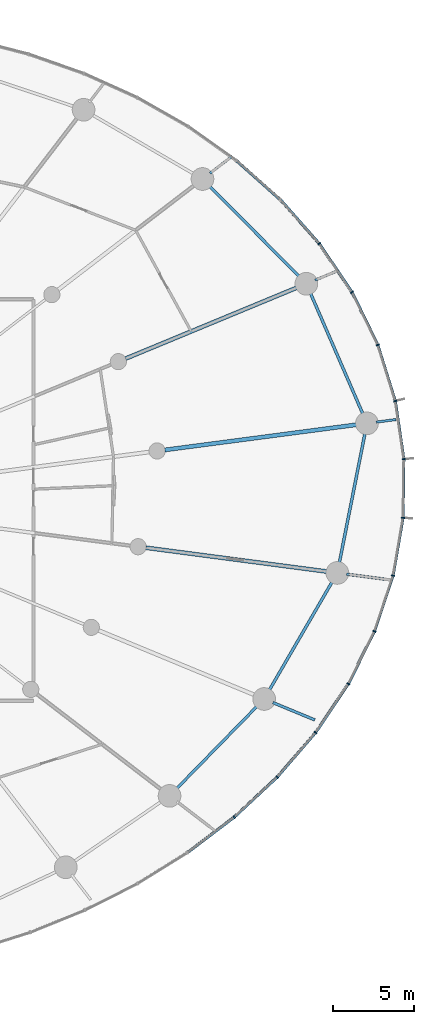
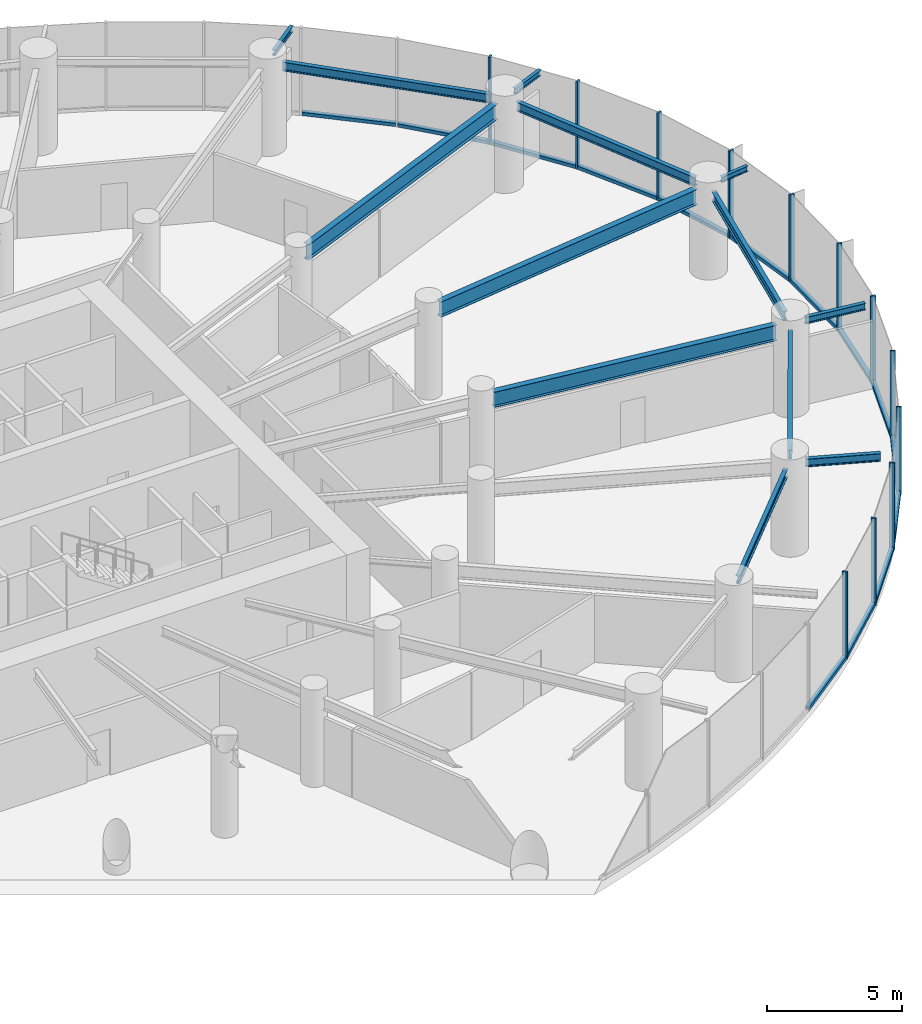
# One storey, part 8 of 19: 26 members, 13 beams, 3 elements without a shape of their own.
"""IFC4 building model written with IfcOpenShell, lengths in metres."""

from ifc_helpers import new_model, si_unit, direction, frame, origin, origin_2d, place, context, subcontext, project, spatial, rectangle, i_section, extrude, source, transform, mapped, material, layer, layer_set, material_profile, profile_set, type_object, element, aggregate, save


model = new_model("IFC4")

# Units and contexts
model_context = context("Model", 3, precision=1e-05, world=origin(), true_north=direction((0.0, 1.0)))
body_context = subcontext(model_context, "Body", "Model", "MODEL_VIEW")
ifc_project = project(units=[si_unit("LENGTHUNIT", "METRE"), si_unit("AREAUNIT", "SQUARE_METRE"), si_unit("VOLUMEUNIT", "CUBIC_METRE"), si_unit("PLANEANGLEUNIT", "RADIAN"), si_unit("MASSUNIT", "GRAM", prefix="KILO")], contexts=[model_context])

# Site, building, storey
site_placement = place(None, origin())
site = spatial("IfcSite", under=ifc_project, at=site_placement, CompositionType="ELEMENT")
building_placement = place(site_placement, origin())
building = spatial("IfcBuilding", under=site, at=building_placement, Name="Spindrift Exchange Tower", CompositionType="ELEMENT")
storey_placement = place(building_placement, frame((0.0, 0.0, 31.39990234375)))
storey = spatial("IfcBuildingStorey", under=building, at=storey_placement, Name="L07", CompositionType="ELEMENT", Elevation=31.39990234375)

# Beams
ifc_material_1 = material(Name="Steel Grade 300", Category="steel")
ifc_material_profile_1 = material_profile(ifc_material_1, i_section(OverallWidth=0.25, OverallDepth=0.699951171875, WebThickness=0.008056640625, FlangeThickness=0.011962890625, at=origin_2d()), Name="700WB115")
ifc_profile_set_1 = profile_set([ifc_material_profile_1], Name="Steel Grade 300")
beam_type_1 = type_object("IfcBeamType", Name="Floor Beam 700WB115 Steel Grade 300", PredefinedType="BEAM", material=ifc_profile_set_1)
shared_shape_1 = source(origin(), body_context, "Body", "SweptSolid", [
    extrude(i_section(OverallWidth=0.25, OverallDepth=0.699951171875, WebThickness=0.008056640625, FlangeThickness=0.011962890625, at=origin_2d()), origin(), (0.0, 0.0, 1.0), 12.00830078125),
])
beam_1_placement = place(storey_placement, frame((75.509765625, 51.09521484375, 3.60009765625), z_axis=(0.991444950947, 0.130525511844, 0.0), x_axis=(-0.130525511844, 0.991444950947, 0.0)))
element("IfcBeam", 1, at=beam_1_placement, inside=storey, type_object=beam_type_1, Name="L07 radial beam R01B", PredefinedType="BEAM", context=body_context, shape_type="MappedRepresentation", body=[
    mapped(shared_shape_1, transform((0.0, 0.0, 0.0), scale=1.0)),
])
shared_shape_2 = source(origin(), body_context, "Body", "SweptSolid", [
    extrude(i_section(OverallWidth=0.25, OverallDepth=0.699951171875, WebThickness=0.008056640625, FlangeThickness=0.011962890625, at=origin_2d()), origin(), (0.0, 0.0, 1.0), 11.505859375),
])
beam_2_placement = place(storey_placement, frame((73.082763671875, 56.73291015625, 3.60009765625), z_axis=(0.923881578419, 0.38267849307, 0.0), x_axis=(-0.38267849307, 0.923881578419, 0.0)))
element("IfcBeam", 2, at=beam_2_placement, inside=storey, type_object=beam_type_1, Name="L07 radial beam R02B", PredefinedType="BEAM", context=body_context, shape_type="MappedRepresentation", body=[
    mapped(shared_shape_2, transform((0.0, 0.0, 0.0), scale=1.0)),
])
shared_shape_3 = source(origin(), body_context, "Body", "SweptSolid", [
    extrude(i_section(OverallWidth=0.25, OverallDepth=0.699951171875, WebThickness=0.008056640625, FlangeThickness=0.011962890625, at=origin_2d()), origin(), (0.0, 0.0, 1.0), 11.34423828125),
])
beam_3_placement = place(storey_placement, frame((74.339111328125, 45.05908203125, 3.60009765625), z_axis=(0.991444770187, -0.130526884848, 0.0), x_axis=(0.130526884848, 0.991444770187, 0.0)))
element("IfcBeam", 3, at=beam_3_placement, inside=storey, type_object=beam_type_1, Name="L07 radial beam R24B", PredefinedType="BEAM", context=body_context, shape_type="MappedRepresentation", body=[
    mapped(shared_shape_3, transform((0.0, 0.0, 0.0), scale=1.0)),
])
ifc_material_profile_2 = material_profile(ifc_material_1, i_section(OverallWidth=0.177978515625, OverallDepth=0.406005859375, WebThickness=0.0078125, FlangeThickness=0.0126953125, FilletRadius=0.013916015625, at=origin_2d()), Name="410UB59.7")
ifc_profile_set_2 = profile_set([ifc_material_profile_2], Name="Steel Grade 300")
beam_type_2 = type_object("IfcBeamType", Name="Edge Beam 410UB59.7 Steel Grade 300", PredefinedType="SPANDREL", material=ifc_profile_set_2)
shared_shape_4 = source(origin(), body_context, "Body", "SweptSolid", [
    extrude(i_section(OverallWidth=0.177978515625, OverallDepth=0.406005859375, WebThickness=0.0078125, FlangeThickness=0.0126953125, FilletRadius=0.013916015625, at=origin_2d()), origin(), (0.0, 0.0, 1.0), 8.23681640625),
])
beam_4_placement = place(storey_placement, frame((87.759521484375, 53.270263671875, 3.7470703125), z_axis=(-0.398186298756, 0.91730456855, 0.0), x_axis=(-0.91730456855, -0.398186298756, 0.0)))
element("IfcBeam", 4, at=beam_4_placement, inside=storey, type_object=beam_type_2, Name="L07 edge beam E01", PredefinedType="SPANDREL", context=body_context, shape_type="MappedRepresentation", body=[
    mapped(shared_shape_4, transform((0.0, 0.0, 0.0), scale=1.0)),
])
shared_shape_5 = source(origin(), body_context, "Body", "SweptSolid", [
    extrude(i_section(OverallWidth=0.177978515625, OverallDepth=0.406005859375, WebThickness=0.0078125, FlangeThickness=0.0126953125, FilletRadius=0.013916015625, at=origin_2d()), origin(), (0.0, 0.0, 1.0), 7.947509765625),
])
beam_5_placement = place(storey_placement, frame((83.840576171875, 61.769775390625, 3.7470703125), z_axis=(-0.704197895271, 0.710003749494, 0.0), x_axis=(-0.710003749494, -0.704197895271, 0.0)))
element("IfcBeam", 5, at=beam_5_placement, inside=storey, type_object=beam_type_2, Name="L07 edge beam E02", PredefinedType="SPANDREL", context=body_context, shape_type="MappedRepresentation", body=[
    mapped(shared_shape_5, transform((0.0, 0.0, 0.0), scale=1.0)),
])
ifc_material_profile_3 = material_profile(ifc_material_1, i_section(OverallWidth=0.172119140625, OverallDepth=0.35888671875, WebThickness=0.008056640625, FlangeThickness=0.012939453125, FilletRadius=0.013916015625, at=origin_2d()), Name="360UB56.7")
ifc_profile_set_3 = profile_set([ifc_material_profile_3], Name="Steel Grade 300")
beam_type_3 = type_object("IfcBeamType", Name="Edge Beam 360UB56.7 Steel Grade 300", PredefinedType="SPANDREL", material=ifc_profile_set_3)
shared_shape_6 = source(origin(), body_context, "Body", "SweptSolid", [
    extrude(i_section(OverallWidth=0.172119140625, OverallDepth=0.35888671875, WebThickness=0.008056640625, FlangeThickness=0.012939453125, FilletRadius=0.013916015625, at=origin_2d()), origin(), (0.0, 0.0, 1.0), 7.2041015625),
])
beam_6_placement = place(storey_placement, frame((76.205810546875, 30.152099609375, 3.7705078125), z_axis=(0.698703626006, 0.715411240481, 0.0), x_axis=(-0.715411240481, 0.698703626006, 0.0)))
element("IfcBeam", 6, at=beam_6_placement, inside=storey, type_object=beam_type_3, Name="L07 edge beam E22", PredefinedType="SPANDREL", context=body_context, shape_type="MappedRepresentation", body=[
    mapped(shared_shape_6, transform((0.0, 0.0, 0.0), scale=1.0)),
])
shared_shape_7 = source(origin(), body_context, "Body", "SweptSolid", [
    extrude(i_section(OverallWidth=0.177978515625, OverallDepth=0.406005859375, WebThickness=0.0078125, FlangeThickness=0.0126953125, FilletRadius=0.013916015625, at=origin_2d()), origin(), (0.0, 0.0, 1.0), 7.837646484375),
])
beam_7_placement = place(storey_placement, frame((81.935791015625, 36.222412109375, 3.7470703125), z_axis=(0.50198145655, 0.864878382942, 0.0), x_axis=(-0.864878382942, 0.50198145655, 0.0)))
element("IfcBeam", 7, at=beam_7_placement, inside=storey, type_object=beam_type_2, Name="L07 edge beam E23", PredefinedType="SPANDREL", context=body_context, shape_type="MappedRepresentation", body=[
    mapped(shared_shape_7, transform((0.0, 0.0, 0.0), scale=1.0)),
])
shared_shape_8 = source(origin(), body_context, "Body", "SweptSolid", [
    extrude(i_section(OverallWidth=0.177978515625, OverallDepth=0.406005859375, WebThickness=0.0078125, FlangeThickness=0.0126953125, FilletRadius=0.013916015625, at=origin_2d()), origin(), (0.0, 0.0, 1.0), 8.2548828125),
])
beam_8_placement = place(storey_placement, frame((86.27392578125, 44.071533203125, 3.7470703125), z_axis=(0.194278723288, 0.9809463684, 0.0), x_axis=(-0.9809463684, 0.194278723288, 0.0)))
element("IfcBeam", 8, at=beam_8_placement, inside=storey, type_object=beam_type_2, Name="L07 edge beam E24", PredefinedType="SPANDREL", context=body_context, shape_type="MappedRepresentation", body=[
    mapped(shared_shape_8, transform((0.0, 0.0, 0.0), scale=1.0)),
])
ifc_material_profile_4 = material_profile(ifc_material_1, i_section(OverallWidth=0.14599609375, OverallDepth=0.251953125, WebThickness=0.006103515625, FlangeThickness=0.008544921875, FilletRadius=0.011962890625, at=origin_2d()), Name="250UB31.4")
ifc_profile_set_4 = profile_set([ifc_material_profile_4], Name="Steel Grade 300")
beam_type_4 = type_object("IfcBeamType", Name="Cantilever Beam 250UB31.4 Steel Grade 300", PredefinedType="BEAM", material=ifc_profile_set_4)
shared_shape_9 = source(origin(), body_context, "Body", "SweptSolid", [
    extrude(i_section(OverallWidth=0.14599609375, OverallDepth=0.251953125, WebThickness=0.006103515625, FlangeThickness=0.008544921875, FilletRadius=0.011962890625, at=origin_2d()), origin(), (0.0, 0.0, 1.0), 1.224853515625),
])
beam_9_placement = place(storey_placement, frame((88.5654296875, 52.81396484375, 3.82421875), z_axis=(0.99144072145, 0.130557634208, 0.0), x_axis=(-0.130557634208, 0.99144072145, 0.0)))
element("IfcBeam", 9, at=beam_9_placement, inside=storey, type_object=beam_type_4, Name="L07 cantilever beam R01T", PredefinedType="BEAM", context=body_context, shape_type="MappedRepresentation", body=[
    mapped(shared_shape_9, transform((0.0, 0.0, 0.0), scale=1.0)),
])
shared_shape_10 = source(origin(), body_context, "Body", "SweptSolid", [
    extrude(i_section(OverallWidth=0.14599609375, OverallDepth=0.251953125, WebThickness=0.006103515625, FlangeThickness=0.008544921875, FilletRadius=0.011962890625, at=origin_2d()), origin(), (0.0, 0.0, 1.0), 1.569580078125),
])
beam_10_placement = place(storey_placement, frame((84.78466796875, 61.579833984375, 3.82421875), z_axis=(0.923903097912, 0.382626535499, 0.0), x_axis=(-0.382626535499, 0.923903097912, 0.0)))
element("IfcBeam", 10, at=beam_10_placement, inside=storey, type_object=beam_type_4, Name="L07 cantilever beam R02T", PredefinedType="BEAM", context=body_context, shape_type="MappedRepresentation", body=[
    mapped(shared_shape_10, transform((0.0, 0.0, 0.0), scale=1.0)),
])
shared_shape_11 = source(origin(), body_context, "Body", "SweptSolid", [
    extrude(i_section(OverallWidth=0.14599609375, OverallDepth=0.251953125, WebThickness=0.006103515625, FlangeThickness=0.008544921875, FilletRadius=0.011962890625, at=origin_2d()), origin(), (0.0, 0.0, 1.0), 1.750244140625),
])
beam_11_placement = place(storey_placement, frame((78.295654296875, 68.177490234375, 3.82421875), z_axis=(0.793390788114, 0.608712622948, 0.0), x_axis=(-0.608712622948, 0.793390788114, 0.0)))
element("IfcBeam", 11, at=beam_11_placement, inside=storey, type_object=beam_type_4, Name="L07 cantilever beam R03T", PredefinedType="BEAM", context=body_context, shape_type="MappedRepresentation", body=[
    mapped(shared_shape_11, transform((0.0, 0.0, 0.0), scale=1.0)),
])
ifc_material_profile_5 = material_profile(ifc_material_1, i_section(OverallWidth=0.172119140625, OverallDepth=0.35888671875, WebThickness=0.008056640625, FlangeThickness=0.012939453125, FilletRadius=0.013916015625, at=origin_2d()), Name="360UB56.7")
ifc_profile_set_5 = profile_set([ifc_material_profile_5], Name="Steel Grade 300")
beam_type_5 = type_object("IfcBeamType", Name="Cantilever Beam 360UB56.7 Steel Grade 300", PredefinedType="BEAM", material=ifc_profile_set_5)
shared_shape_12 = source(origin(), body_context, "Body", "SweptSolid", [
    extrude(i_section(OverallWidth=0.172119140625, OverallDepth=0.35888671875, WebThickness=0.008056640625, FlangeThickness=0.012939453125, FilletRadius=0.013916015625, at=origin_2d()), origin(), (0.0, 0.0, 1.0), 2.806396484375),
])
beam_12_placement = place(storey_placement, frame((82.180419921875, 35.498779296875, 3.7705078125), z_axis=(0.923877934132, -0.382687291172, 0.0), x_axis=(0.382687291172, 0.923877934132, 0.0)))
element("IfcBeam", 12, at=beam_12_placement, inside=storey, type_object=beam_type_5, Name="L07 cantilever beam R23T", PredefinedType="BEAM", context=body_context, shape_type="MappedRepresentation", body=[
    mapped(shared_shape_12, transform((0.0, 0.0, 0.0), scale=1.0)),
])
ifc_material_profile_6 = material_profile(ifc_material_1, i_section(OverallWidth=0.1650390625, OverallDepth=0.303955078125, WebThickness=0.006103515625, FlangeThickness=0.01025390625, FilletRadius=0.011474609375, at=origin_2d()), Name="310UB40.4")
ifc_profile_set_6 = profile_set([ifc_material_profile_6], Name="Steel Grade 300")
beam_type_6 = type_object("IfcBeamType", Name="Cantilever Beam 310UB40.4 Steel Grade 300", PredefinedType="BEAM", material=ifc_profile_set_6)
shared_shape_13 = source(origin(), body_context, "Body", "SweptSolid", [
    extrude(i_section(OverallWidth=0.1650390625, OverallDepth=0.303955078125, WebThickness=0.006103515625, FlangeThickness=0.01025390625, FilletRadius=0.011474609375, at=origin_2d()), origin(), (0.0, 0.0, 1.0), 2.4150390625),
])
beam_13_placement = place(storey_placement, frame((86.736083984375, 43.427001953125, 3.798095703125), z_axis=(0.99144637948, -0.130514660539, 0.0), x_axis=(0.130514660539, 0.99144637948, 0.0)))
element("IfcBeam", 13, at=beam_13_placement, inside=storey, type_object=beam_type_6, Name="L07 cantilever beam R24T", PredefinedType="BEAM", context=body_context, shape_type="MappedRepresentation", body=[
    mapped(shared_shape_13, transform((0.0, 0.0, 0.0), scale=1.0)),
])

# Curtain wall, members
ifc_material_2 = material(Name="Fritted laminated glass with bronze frame", Category="glass")
ifc_layer = layer(ifc_material_2, 0.199951171875)
ifc_layer_set = layer_set([ifc_layer], Name="ZONE 1 BRONZE FRITTED WALL")
curtain_wall_type = type_object("IfcCurtainWallType", Name="ZONE 1 BRONZE FRITTED WALL", PredefinedType="NOTDEFINED", material=ifc_layer_set)
curtain_wall_1_placement = place(storey_placement, origin())
curtain_wall_1 = element("IfcCurtainWall", 14, at=curtain_wall_1_placement, inside=storey, type_object=curtain_wall_type, Name="L07 Zone 1 Bronze Fritted Wall run 1", PredefinedType="NOTDEFINED")
ifc_material_3 = material(Name="Bronze anodised aluminium", Category="aluminium")
ifc_material_profile_7 = material_profile(ifc_material_3, rectangle(XDim=0.179931640625, YDim=0.14990234375, at=origin_2d()), Name="ZONE 1 BRONZE FRITTED WALL TRANSOM 180X150")
ifc_profile_set_7 = profile_set([ifc_material_profile_7], Name="Bronze anodised aluminium")
member_type_1 = type_object("IfcMemberType", Name="ZONE 1 BRONZE FRITTED WALL TRANSOM 180X150", PredefinedType="USERDEFINED", material=ifc_profile_set_7)
shared_shape_14 = source(origin(), body_context, "Body", "SweptSolid", [
    extrude(rectangle(XDim=0.179931640625, YDim=0.14990234375, at=origin_2d()), origin(), (0.0, 0.0, 1.0), 3.54443359375),
])
member_1_placement = place(storey_placement, frame((90.260498046875, 50.570556640625, 0.0751953125), z_axis=(-0.145267924979, 0.989392353908, 0.0), x_axis=(-0.989392353908, -0.145267924979, 0.0)))
member_1 = element("IfcMember", 15, at=member_1_placement, type_object=member_type_1, Name="L07 transom CW-1.1", ObjectType="TRANSOM", PredefinedType="USERDEFINED", context=body_context, shape_type="MappedRepresentation", body=[
    mapped(shared_shape_14, transform((0.0, 0.0, 0.0), scale=1.0)),
])
member_2_placement = place(storey_placement, frame((89.72802734375, 54.1552734375, 0.0751953125), z_axis=(-0.298318134587, 0.954466495261, 0.0), x_axis=(-0.954466495261, -0.298318134587, 0.0)))
member_2 = element("IfcMember", 16, at=member_2_placement, type_object=member_type_1, Name="L07 transom CW-1.2", ObjectType="TRANSOM", PredefinedType="USERDEFINED", context=body_context, shape_type="MappedRepresentation", body=[
    mapped(shared_shape_14, transform((0.0, 0.0, 0.0), scale=1.0)),
])

# Curtain wall, member
curtain_wall_2_placement = place(storey_placement, origin())
curtain_wall_2 = element("IfcCurtainWall", 17, at=curtain_wall_2_placement, inside=storey, type_object=curtain_wall_type, Name="L07 Zone 1 Bronze Fritted Wall run 10", PredefinedType="NOTDEFINED")
member_3_placement = place(storey_placement, frame((90.21728515625, 46.947021484375, 0.0751953125), z_axis=(0.013706778638, 0.999906057697, 0.0), x_axis=(-0.999906057697, 0.013706778638, 0.0)))
member_3 = element("IfcMember", 18, at=member_3_placement, type_object=member_type_1, Name="L07 transom CW-1.59", ObjectType="TRANSOM", PredefinedType="USERDEFINED", context=body_context, shape_type="MappedRepresentation", body=[
    mapped(shared_shape_14, transform((0.0, 0.0, 0.0), scale=1.0)),
])

# Member
shared_shape_15 = source(origin(), body_context, "Body", "SweptSolid", [
    extrude(rectangle(XDim=0.179931640625, YDim=0.14990234375, at=origin_2d()), origin(), (0.0, 0.0, 1.0), 3.544921875),
])
member_4_placement = place(storey_placement, frame((88.641357421875, 57.612548828125, 0.0751953125), z_axis=(-0.4379337446, 0.899007249882, 0.0), x_axis=(-0.899007249882, -0.4379337446, 0.0)))
member_4 = element("IfcMember", 19, at=member_4_placement, type_object=member_type_1, Name="L07 transom CW-1.3", ObjectType="TRANSOM", PredefinedType="USERDEFINED", context=body_context, shape_type="MappedRepresentation", body=[
    mapped(shared_shape_15, transform((0.0, 0.0, 0.0), scale=1.0)),
])

shared_shape_16 = source(origin(), body_context, "Body", "SweptSolid", [
    extrude(rectangle(XDim=0.179931640625, YDim=0.14990234375, at=origin_2d()), origin(), (0.0, 0.0, 1.0), 3.545654296875),
])
member_5_placement = place(storey_placement, frame((85.01513671875, 63.86962890625, 0.0751953125), z_axis=(-0.662652618009, 0.748926904207, 0.0), x_axis=(-0.748926904207, -0.662652618009, 0.0)))
member_5 = element("IfcMember", 20, at=member_5_placement, type_object=member_type_1, Name="L07 transom CW-1.5", ObjectType="TRANSOM", PredefinedType="USERDEFINED", context=body_context, shape_type="MappedRepresentation", body=[
    mapped(shared_shape_16, transform((0.0, 0.0, 0.0), scale=1.0)),
])

member_6_placement = place(storey_placement, frame((84.83837890625, 33.67529296875, 0.0751953125), z_axis=(0.55820685711, 0.829701816724, 0.0), x_axis=(-0.829701816724, 0.55820685711, 0.0)))
member_6 = element("IfcMember", 21, at=member_6_placement, type_object=member_type_1, Name="L07 transom CW-1.55", ObjectType="TRANSOM", PredefinedType="USERDEFINED", context=body_context, shape_type="MappedRepresentation", body=[
    mapped(shared_shape_16, transform((0.0, 0.0, 0.0), scale=1.0)),
])

shared_shape_17 = source(origin(), body_context, "Body", "SweptSolid", [
    extrude(rectangle(XDim=0.179931640625, YDim=0.14990234375, at=origin_2d()), origin(), (0.0, 0.0, 1.0), 3.546142578125),
])
member_7_placement = place(storey_placement, frame((82.609130859375, 66.581787109375, 0.0751953125), z_axis=(-0.747109171908, 0.664701350421, 0.0), x_axis=(-0.664701350421, -0.747109171908, 0.0)))
member_7 = element("IfcMember", 22, at=member_7_placement, type_object=member_type_1, Name="L07 transom CW-1.6", ObjectType="TRANSOM", PredefinedType="USERDEFINED", context=body_context, shape_type="MappedRepresentation", body=[
    mapped(shared_shape_17, transform((0.0, 0.0, 0.0), scale=1.0)),
])

# Curtain wall, members
curtain_wall_3_placement = place(storey_placement, origin())
curtain_wall_3 = element("IfcCurtainWall", 23, at=curtain_wall_3_placement, inside=storey, type_object=curtain_wall_type, Name="L07 Zone 1 Bronze Fritted Wall run 9", PredefinedType="NOTDEFINED")
shared_shape_18 = source(origin(), body_context, "Body", "SweptSolid", [
    extrude(rectangle(XDim=0.179931640625, YDim=0.14990234375, at=origin_2d()), origin(), (0.0, 0.0, 1.0), 3.546875),
])
member_8_placement = place(storey_placement, frame((76.936279296875, 26.25634765625, 0.0751953125), z_axis=(0.796667269813, 0.60441811787, 0.0), x_axis=(-0.60441811787, 0.796667269813, 0.0)))
member_8 = element("IfcMember", 24, at=member_8_placement, type_object=member_type_1, Name="L07 transom CW-1.52", ObjectType="TRANSOM", PredefinedType="USERDEFINED", context=body_context, shape_type="MappedRepresentation", body=[
    mapped(shared_shape_18, transform((0.0, 0.0, 0.0), scale=1.0)),
])
shared_shape_19 = source(origin(), body_context, "Body", "SweptSolid", [
    extrude(rectangle(XDim=0.179931640625, YDim=0.14990234375, at=origin_2d()), origin(), (0.0, 0.0, 1.0), 3.54638671875),
])
member_9_placement = place(storey_placement, frame((82.473876953125, 30.926025390625, 0.0751953125), z_axis=(0.653033581914, 0.757328951574, 0.0), x_axis=(-0.757328951574, 0.653033581914, 0.0)))
member_9 = element("IfcMember", 25, at=member_9_placement, type_object=member_type_1, Name="L07 transom CW-1.54", ObjectType="TRANSOM", PredefinedType="USERDEFINED", context=body_context, shape_type="MappedRepresentation", body=[
    mapped(shared_shape_19, transform((0.0, 0.0, 0.0), scale=1.0)),
])

# Member
shared_shape_20 = source(origin(), body_context, "Body", "SweptSolid", [
    extrude(rectangle(XDim=0.179931640625, YDim=0.14990234375, at=origin_2d()), origin(), (0.0, 0.0, 1.0), 3.545166015625),
])
member_10_placement = place(storey_placement, frame((88.468994140625, 39.933349609375, 0.0751953125), z_axis=(0.315690545547, 0.948862202563, 0.0), x_axis=(-0.948862202563, 0.315690545547, 0.0)))
member_10 = element("IfcMember", 26, at=member_10_placement, type_object=member_type_1, Name="L07 transom CW-1.57", ObjectType="TRANSOM", PredefinedType="USERDEFINED", context=body_context, shape_type="MappedRepresentation", body=[
    mapped(shared_shape_20, transform((0.0, 0.0, 0.0), scale=1.0)),
])

shared_shape_21 = source(origin(), body_context, "Body", "SweptSolid", [
    extrude(rectangle(XDim=0.179931640625, YDim=0.14990234375, at=origin_2d()), origin(), (0.0, 0.0, 1.0), 3.546630859375),
])
member_11_placement = place(storey_placement, frame((79.822998046875, 28.45166015625, 0.0751953125), z_axis=(0.731819387974, 0.681498630509, 0.0), x_axis=(-0.681498630509, 0.731819387974, 0.0)))
member_11 = element("IfcMember", 27, at=member_11_placement, type_object=member_type_1, Name="L07 transom CW-1.53", ObjectType="TRANSOM", PredefinedType="USERDEFINED", context=body_context, shape_type="MappedRepresentation", body=[
    mapped(shared_shape_21, transform((0.0, 0.0, 0.0), scale=1.0)),
])

shared_shape_22 = source(origin(), body_context, "Body", "SweptSolid", [
    extrude(rectangle(XDim=0.179931640625, YDim=0.14990234375, at=origin_2d()), origin(), (0.0, 0.0, 1.0), 3.544677734375),
])
member_12_placement = place(storey_placement, frame((89.607666015625, 43.37451171875, 0.0751953125), z_axis=(0.169913835784, 0.985458922741, 0.0), x_axis=(-0.985458922741, 0.169913835784, 0.0)))
member_12 = element("IfcMember", 28, at=member_12_placement, type_object=member_type_1, Name="L07 transom CW-1.58", ObjectType="TRANSOM", PredefinedType="USERDEFINED", context=body_context, shape_type="MappedRepresentation", body=[
    mapped(shared_shape_22, transform((0.0, 0.0, 0.0), scale=1.0)),
])

shared_shape_23 = source(origin(), body_context, "Body", "SweptSolid", [
    extrude(rectangle(XDim=0.179931640625, YDim=0.14990234375, at=origin_2d()), origin(), (0.0, 0.0, 1.0), 3.54541015625),
])
member_13_placement = place(storey_placement, frame((87.049072265625, 60.86865234375, 0.0751953125), z_axis=(-0.559838244759, 0.828601918719, 0.0), x_axis=(-0.828601918719, -0.559838244759, 0.0)))
member_13 = element("IfcMember", 29, at=member_13_placement, type_object=member_type_1, Name="L07 transom CW-1.4", ObjectType="TRANSOM", PredefinedType="USERDEFINED", context=body_context, shape_type="MappedRepresentation", body=[
    mapped(shared_shape_23, transform((0.0, 0.0, 0.0), scale=1.0)),
])

member_14_placement = place(storey_placement, frame((86.85791015625, 36.68603515625, 0.0751953125), z_axis=(0.44580827272, 0.895128473446, 0.0), x_axis=(-0.895128473446, 0.44580827272, 0.0)))
member_14 = element("IfcMember", 30, at=member_14_placement, type_object=member_type_1, Name="L07 transom CW-1.56", ObjectType="TRANSOM", PredefinedType="USERDEFINED", context=body_context, shape_type="MappedRepresentation", body=[
    mapped(shared_shape_23, transform((0.0, 0.0, 0.0), scale=1.0)),
])

ifc_material_profile_8 = material_profile(ifc_material_3, rectangle(XDim=0.080078125, YDim=0.199951171875, at=origin_2d()), Name="ZONE 1 BRONZE FRITTED WALL MULLION 80X200")
ifc_profile_set_8 = profile_set([ifc_material_profile_8], Name="Bronze anodised aluminium")
member_type_2 = type_object("IfcMemberType", Name="ZONE 1 BRONZE FRITTED WALL MULLION 80X200", PredefinedType="MULLION", material=ifc_profile_set_8)
shared_shape_24 = source(origin(), body_context, "Body", "SweptSolid", [
    extrude(rectangle(XDim=0.080078125, YDim=0.199951171875, at=origin_2d()), origin(), (0.0, 0.0, 1.0), 3.9501953125),
])
member_15_placement = place(storey_placement, frame((90.266357421875, 50.531005859375, 0.0), z_axis=(0.0, 0.0, 1.0), x_axis=(-0.06600105627, 0.997819553111, 0.0)))
member_15 = element("IfcMember", 31, at=member_15_placement, type_object=member_type_2, Name="L07 mullion CW-1.1", PredefinedType="MULLION", context=body_context, shape_type="MappedRepresentation", body=[
    mapped(shared_shape_24, transform((0.0, 0.0, 0.0), scale=1.0)),
])

member_16_placement = place(storey_placement, frame((89.739990234375, 54.116943359375, 0.0), z_axis=(0.0, 0.0, 1.0), x_axis=(-0.222454040775, 0.9749431777, 0.0)))
member_16 = element("IfcMember", 32, at=member_16_placement, type_object=member_type_2, Name="L07 mullion CW-1.2", PredefinedType="MULLION", context=body_context, shape_type="MappedRepresentation", body=[
    mapped(shared_shape_24, transform((0.0, 0.0, 0.0), scale=1.0)),
])

member_17_placement = place(storey_placement, frame((88.65869140625, 57.57666015625, 0.0), z_axis=(0.0, 0.0, 1.0), x_axis=(-0.369126588606, 0.929379126936, 0.0)))
member_17 = element("IfcMember", 33, at=member_17_placement, type_object=member_type_2, Name="L07 mullion CW-1.3", PredefinedType="MULLION", context=body_context, shape_type="MappedRepresentation", body=[
    mapped(shared_shape_24, transform((0.0, 0.0, 0.0), scale=1.0)),
])

member_18_placement = place(storey_placement, frame((87.0712890625, 60.835693359375, 0.0), z_axis=(0.0, 0.0, 1.0), x_axis=(-0.50011656432, 0.865958094883, 0.0)))
member_18 = element("IfcMember", 34, at=member_18_placement, type_object=member_type_2, Name="L07 mullion CW-1.4", PredefinedType="MULLION", context=body_context, shape_type="MappedRepresentation", body=[
    mapped(shared_shape_24, transform((0.0, 0.0, 0.0), scale=1.0)),
])

member_19_placement = place(storey_placement, frame((85.041748046875, 63.839599609375, 0.0), z_axis=(0.0, 0.0, 1.0), x_axis=(-0.612550173773, 0.790431707746, 0.0)))
member_19 = element("IfcMember", 35, at=member_19_placement, type_object=member_type_2, Name="L07 mullion CW-1.5", PredefinedType="MULLION", context=body_context, shape_type="MappedRepresentation", body=[
    mapped(shared_shape_24, transform((0.0, 0.0, 0.0), scale=1.0)),
])

aggregate(curtain_wall_1, [member_15, member_1, member_16, member_2, member_17, member_4, member_18, member_13, member_19, member_5, member_7])

member_20_placement = place(storey_placement, frame((79.793701171875, 28.42431640625, 0.0), z_axis=(0.0, 0.0, 1.0), x_axis=(0.765211847507, 0.643778555433, 0.0)))
member_20 = element("IfcMember", 36, at=member_20_placement, type_object=member_type_2, Name="L07 mullion CW-1.53", PredefinedType="MULLION", context=body_context, shape_type="MappedRepresentation", body=[
    mapped(shared_shape_24, transform((0.0, 0.0, 0.0), scale=1.0)),
])

member_21_placement = place(storey_placement, frame((82.44775390625, 30.895751953125, 0.0), z_axis=(0.0, 0.0, 1.0), x_axis=(0.693486071899, 0.720470032744, 0.0)))
member_21 = element("IfcMember", 37, at=member_21_placement, type_object=member_type_2, Name="L07 mullion CW-1.54", PredefinedType="MULLION", context=body_context, shape_type="MappedRepresentation", body=[
    mapped(shared_shape_24, transform((0.0, 0.0, 0.0), scale=1.0)),
])

aggregate(curtain_wall_3, [member_8, member_20, member_11, member_21, member_9])

member_22_placement = place(storey_placement, frame((84.81591796875, 33.64208984375, 0.0), z_axis=(0.0, 0.0, 1.0), x_axis=(0.606723186143, 0.794913187333, 0.0)))
member_22 = element("IfcMember", 38, at=member_22_placement, type_object=member_type_2, Name="L07 mullion CW-1.55", PredefinedType="MULLION", context=body_context, shape_type="MappedRepresentation", body=[
    mapped(shared_shape_24, transform((0.0, 0.0, 0.0), scale=1.0)),
])

member_23_placement = place(storey_placement, frame((86.840087890625, 36.650390625, 0.0), z_axis=(0.0, 0.0, 1.0), x_axis=(0.503097519479, 0.864229648817, 0.0)))
member_23 = element("IfcMember", 39, at=member_23_placement, type_object=member_type_2, Name="L07 mullion CW-1.56", PredefinedType="MULLION", context=body_context, shape_type="MappedRepresentation", body=[
    mapped(shared_shape_24, transform((0.0, 0.0, 0.0), scale=1.0)),
])

member_24_placement = place(storey_placement, frame((88.456298828125, 39.8955078125, 0.0), z_axis=(0.0, 0.0, 1.0), x_axis=(0.381718745893, 0.924278528926, 0.0)))
member_24 = element("IfcMember", 40, at=member_24_placement, type_object=member_type_2, Name="L07 mullion CW-1.57", PredefinedType="MULLION", context=body_context, shape_type="MappedRepresentation", body=[
    mapped(shared_shape_24, transform((0.0, 0.0, 0.0), scale=1.0)),
])

member_25_placement = place(storey_placement, frame((89.600830078125, 43.335205078125, 0.0), z_axis=(0.0, 0.0, 1.0), x_axis=(0.243511620422, 0.969897979542, 0.0)))
member_25 = element("IfcMember", 41, at=member_25_placement, type_object=member_type_2, Name="L07 mullion CW-1.58", PredefinedType="MULLION", context=body_context, shape_type="MappedRepresentation", body=[
    mapped(shared_shape_24, transform((0.0, 0.0, 0.0), scale=1.0)),
])

member_26_placement = place(storey_placement, frame((90.216796875, 46.906982421875, 0.0), z_axis=(0.0, 0.0, 1.0), x_axis=(0.092100643591, 0.995749703214, 0.0)))
member_26 = element("IfcMember", 42, at=member_26_placement, type_object=member_type_2, Name="L07 mullion CW-1.59", PredefinedType="MULLION", context=body_context, shape_type="MappedRepresentation", body=[
    mapped(shared_shape_24, transform((0.0, 0.0, 0.0), scale=1.0)),
])

aggregate(curtain_wall_2, [member_22, member_6, member_23, member_14, member_24, member_10, member_25, member_12, member_26, member_3])

save(model, "model.ifc")
